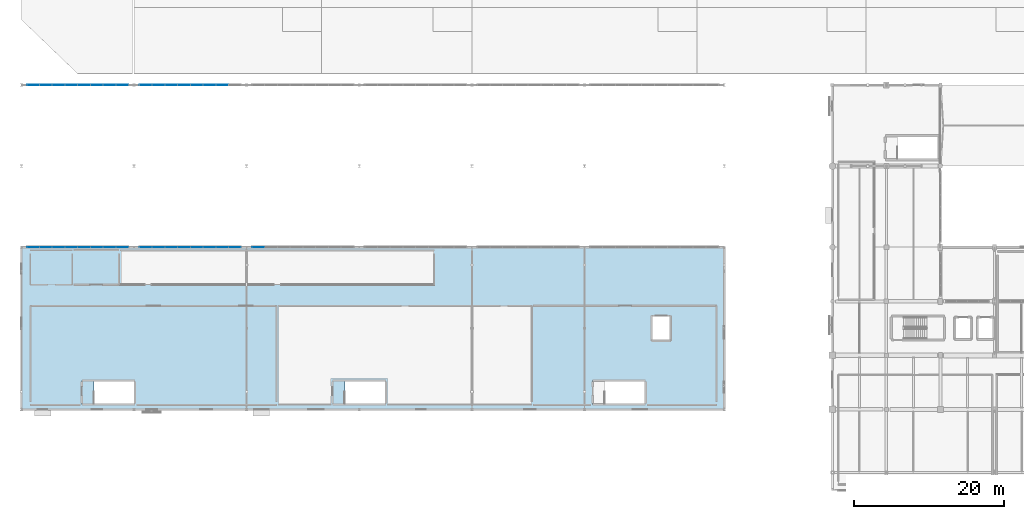
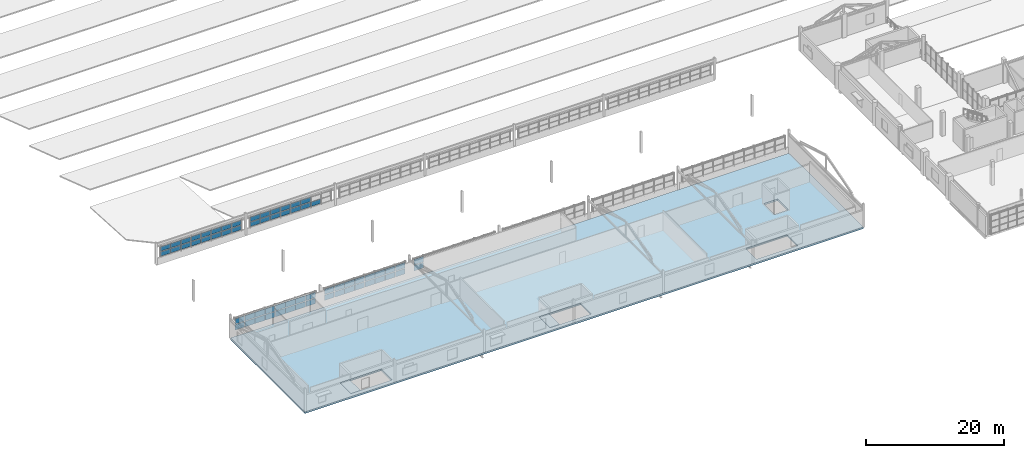
# One storey, part 44 of 90: 63 plates, 3 slabs, 5 elements without a shape of their own.
"""IFC4 building model written with IfcOpenShell, lengths in metres."""

from ifc_helpers import new_model, si_unit, direction, frame, origin, origin_2d, place, context, subcontext, project, spatial, polyline, rectangle, outline, extrude, material, layer, layer_set, type_object, element, aggregate, save


model = new_model("IFC4")

# Units and contexts
model_context = context("Model", 3, precision=1e-05, world=origin(), true_north=direction((0.0, 1.0)))
body_context = subcontext(model_context, "Body", "Model", "MODEL_VIEW")
ifc_project = project(units=[si_unit("LENGTHUNIT", "METRE"), si_unit("AREAUNIT", "SQUARE_METRE"), si_unit("VOLUMEUNIT", "CUBIC_METRE"), si_unit("PLANEANGLEUNIT", "RADIAN"), si_unit("MASSUNIT", "GRAM", prefix="KILO")], contexts=[model_context])

# Site, building, storey
site_placement = place(None, origin())
site = spatial("IfcSite", under=ifc_project, at=site_placement, CompositionType="ELEMENT")
building_placement = place(site_placement, origin())
building = spatial("IfcBuilding", under=site, at=building_placement, Name="Solanera Park Tramway Depot", CompositionType="ELEMENT")
storey_placement = place(building_placement, frame((0.0, 0.0, 9.0)))
storey = spatial("IfcBuildingStorey", under=building, at=storey_placement, Name="L02", CompositionType="ELEMENT", Elevation=9.0)

# Curtain wall, plates
ifc_material_1 = material(Name="Bronze-anodised thermally broken aluminium curtain wall", Category="aluminium")
curtain_wall_type = type_object("IfcCurtainWallType", Name="Workshop Daylight Ribbon Curtain Wall", PredefinedType="NOTDEFINED", material=ifc_material_1)
curtain_wall_1_placement = place(storey_placement, origin())
curtain_wall_1 = element("IfcCurtainWall", 1, at=curtain_wall_1_placement, inside=storey, type_object=curtain_wall_type, Name="L02 Workshop Daylight Ribbon Curtain Wall #152", PredefinedType="NOTDEFINED")
ifc_material_2 = material(Name="Low-E laminated solar-control double glazing", Category="glass")
ifc_layer_1 = layer(ifc_material_2, 0.028076171875)
ifc_layer_set_1 = layer_set([ifc_layer_1], Name="Low-E laminated solar-control double glazing")
plate_type = type_object("IfcPlateType", Name="Curtain Wall Double Glazing Panel 28", PredefinedType="CURTAIN_PANEL", material=ifc_layer_set_1)
plate_1_placement = place(storey_placement, frame((13.43359375, 54.0, 1.112060546875), z_axis=(0.0, 0.0, 1.0), x_axis=(-1.0, 0.0, 0.0)))
plate_1 = element("IfcPlate", 2, at=plate_1_placement, type_object=plate_type, Name="CW-L02-152 Glazing Panel R1.C1", PredefinedType="CURTAIN_PANEL", context=body_context, shape_type="SweptSolid", body=[
    extrude(rectangle(XDim=1.615478515625, YDim=0.028076171875, at=origin_2d()), origin(), (0.0, 0.0, 1.0), 0.7958984375),
])
plate_2_placement = place(storey_placement, frame((11.75, 54.0, 1.112060546875), z_axis=(0.0, 0.0, 1.0), x_axis=(-1.0, 0.0, 0.0)))
plate_2 = element("IfcPlate", 3, at=plate_2_placement, type_object=plate_type, Name="CW-L02-152 Glazing Panel R1.C2", PredefinedType="CURTAIN_PANEL", context=body_context, shape_type="SweptSolid", body=[
    extrude(rectangle(XDim=1.64794921875, YDim=0.028076171875, at=origin_2d()), origin(), (0.0, 0.0, 1.0), 0.7958984375),
])
plate_3_placement = place(storey_placement, frame((10.050048828125, 54.0, 1.112060546875), z_axis=(0.0, 0.0, 1.0), x_axis=(-1.0, 0.0, 0.0)))
plate_3 = element("IfcPlate", 4, at=plate_3_placement, type_object=plate_type, Name="CW-L02-152 Glazing Panel R1.C3", PredefinedType="CURTAIN_PANEL", context=body_context, shape_type="SweptSolid", body=[
    extrude(rectangle(XDim=1.64794921875, YDim=0.028076171875, at=origin_2d()), origin(), (0.0, 0.0, 1.0), 0.7958984375),
])
plate_4_placement = place(storey_placement, frame((8.35009765625, 54.0, 1.112060546875), z_axis=(0.0, 0.0, 1.0), x_axis=(-1.0, 0.0, 0.0)))
plate_4 = element("IfcPlate", 5, at=plate_4_placement, type_object=plate_type, Name="CW-L02-152 Glazing Panel R1.C4", PredefinedType="CURTAIN_PANEL", context=body_context, shape_type="SweptSolid", body=[
    extrude(rectangle(XDim=1.64794921875, YDim=0.028076171875, at=origin_2d()), origin(), (0.0, 0.0, 1.0), 0.7958984375),
])
plate_5_placement = place(storey_placement, frame((6.64990234375, 54.0, 1.112060546875), z_axis=(0.0, 0.0, 1.0), x_axis=(-1.0, 0.0, 0.0)))
plate_5 = element("IfcPlate", 6, at=plate_5_placement, type_object=plate_type, Name="CW-L02-152 Glazing Panel R1.C5", PredefinedType="CURTAIN_PANEL", context=body_context, shape_type="SweptSolid", body=[
    extrude(rectangle(XDim=1.64794921875, YDim=0.028076171875, at=origin_2d()), origin(), (0.0, 0.0, 1.0), 0.7958984375),
])
plate_6_placement = place(storey_placement, frame((4.949951171875, 54.0, 1.112060546875), z_axis=(0.0, 0.0, 1.0), x_axis=(-1.0, 0.0, 0.0)))
plate_6 = element("IfcPlate", 7, at=plate_6_placement, type_object=plate_type, Name="CW-L02-152 Glazing Panel R1.C6", PredefinedType="CURTAIN_PANEL", context=body_context, shape_type="SweptSolid", body=[
    extrude(rectangle(XDim=1.64794921875, YDim=0.028076171875, at=origin_2d()), origin(), (0.0, 0.0, 1.0), 0.7958984375),
])
plate_7_placement = place(storey_placement, frame((3.25, 54.0, 1.112060546875), z_axis=(0.0, 0.0, 1.0), x_axis=(-1.0, 0.0, 0.0)))
plate_7 = element("IfcPlate", 8, at=plate_7_placement, type_object=plate_type, Name="CW-L02-152 Glazing Panel R1.C7", PredefinedType="CURTAIN_PANEL", context=body_context, shape_type="SweptSolid", body=[
    extrude(rectangle(XDim=1.64794921875, YDim=0.028076171875, at=origin_2d()), origin(), (0.0, 0.0, 1.0), 0.7958984375),
])
plate_8_placement = place(storey_placement, frame((1.56640625, 54.0, 1.112060546875), z_axis=(0.0, 0.0, 1.0), x_axis=(-1.0, 0.0, 0.0)))
plate_8 = element("IfcPlate", 9, at=plate_8_placement, type_object=plate_type, Name="CW-L02-152 Glazing Panel R1.C8", PredefinedType="CURTAIN_PANEL", context=body_context, shape_type="SweptSolid", body=[
    extrude(rectangle(XDim=1.615478515625, YDim=0.028076171875, at=origin_2d()), origin(), (0.0, 0.0, 1.0), 0.7958984375),
])
plate_9_placement = place(storey_placement, frame((13.43359375, 54.0, 2.011962890625), z_axis=(0.0, 0.0, 1.0), x_axis=(-1.0, 0.0, 0.0)))
plate_9 = element("IfcPlate", 10, at=plate_9_placement, type_object=plate_type, Name="CW-L02-152 Glazing Panel R2.C1", PredefinedType="CURTAIN_PANEL", context=body_context, shape_type="SweptSolid", body=[
    extrude(rectangle(XDim=1.615478515625, YDim=0.028076171875, at=origin_2d()), origin(), (0.0, 0.0, 1.0), 0.7958984375),
])
plate_10_placement = place(storey_placement, frame((11.75, 54.0, 2.011962890625), z_axis=(0.0, 0.0, 1.0), x_axis=(-1.0, 0.0, 0.0)))
plate_10 = element("IfcPlate", 11, at=plate_10_placement, type_object=plate_type, Name="CW-L02-152 Glazing Panel R2.C2", PredefinedType="CURTAIN_PANEL", context=body_context, shape_type="SweptSolid", body=[
    extrude(rectangle(XDim=1.64794921875, YDim=0.028076171875, at=origin_2d()), origin(), (0.0, 0.0, 1.0), 0.7958984375),
])
plate_11_placement = place(storey_placement, frame((10.050048828125, 54.0, 2.011962890625), z_axis=(0.0, 0.0, 1.0), x_axis=(-1.0, 0.0, 0.0)))
plate_11 = element("IfcPlate", 12, at=plate_11_placement, type_object=plate_type, Name="CW-L02-152 Glazing Panel R2.C3", PredefinedType="CURTAIN_PANEL", context=body_context, shape_type="SweptSolid", body=[
    extrude(rectangle(XDim=1.64794921875, YDim=0.028076171875, at=origin_2d()), origin(), (0.0, 0.0, 1.0), 0.7958984375),
])
plate_12_placement = place(storey_placement, frame((8.35009765625, 54.0, 2.011962890625), z_axis=(0.0, 0.0, 1.0), x_axis=(-1.0, 0.0, 0.0)))
plate_12 = element("IfcPlate", 13, at=plate_12_placement, type_object=plate_type, Name="CW-L02-152 Glazing Panel R2.C4", PredefinedType="CURTAIN_PANEL", context=body_context, shape_type="SweptSolid", body=[
    extrude(rectangle(XDim=1.64794921875, YDim=0.028076171875, at=origin_2d()), origin(), (0.0, 0.0, 1.0), 0.7958984375),
])
plate_13_placement = place(storey_placement, frame((6.64990234375, 54.0, 2.011962890625), z_axis=(0.0, 0.0, 1.0), x_axis=(-1.0, 0.0, 0.0)))
plate_13 = element("IfcPlate", 14, at=plate_13_placement, type_object=plate_type, Name="CW-L02-152 Glazing Panel R2.C5", PredefinedType="CURTAIN_PANEL", context=body_context, shape_type="SweptSolid", body=[
    extrude(rectangle(XDim=1.64794921875, YDim=0.028076171875, at=origin_2d()), origin(), (0.0, 0.0, 1.0), 0.7958984375),
])
plate_14_placement = place(storey_placement, frame((4.949951171875, 54.0, 2.011962890625), z_axis=(0.0, 0.0, 1.0), x_axis=(-1.0, 0.0, 0.0)))
plate_14 = element("IfcPlate", 15, at=plate_14_placement, type_object=plate_type, Name="CW-L02-152 Glazing Panel R2.C6", PredefinedType="CURTAIN_PANEL", context=body_context, shape_type="SweptSolid", body=[
    extrude(rectangle(XDim=1.64794921875, YDim=0.028076171875, at=origin_2d()), origin(), (0.0, 0.0, 1.0), 0.7958984375),
])
plate_15_placement = place(storey_placement, frame((3.25, 54.0, 2.011962890625), z_axis=(0.0, 0.0, 1.0), x_axis=(-1.0, 0.0, 0.0)))
plate_15 = element("IfcPlate", 16, at=plate_15_placement, type_object=plate_type, Name="CW-L02-152 Glazing Panel R2.C7", PredefinedType="CURTAIN_PANEL", context=body_context, shape_type="SweptSolid", body=[
    extrude(rectangle(XDim=1.64794921875, YDim=0.028076171875, at=origin_2d()), origin(), (0.0, 0.0, 1.0), 0.7958984375),
])
plate_16_placement = place(storey_placement, frame((1.56640625, 54.0, 2.011962890625), z_axis=(0.0, 0.0, 1.0), x_axis=(-1.0, 0.0, 0.0)))
plate_16 = element("IfcPlate", 17, at=plate_16_placement, type_object=plate_type, Name="CW-L02-152 Glazing Panel R2.C8", PredefinedType="CURTAIN_PANEL", context=body_context, shape_type="SweptSolid", body=[
    extrude(rectangle(XDim=1.615478515625, YDim=0.028076171875, at=origin_2d()), origin(), (0.0, 0.0, 1.0), 0.7958984375),
])
aggregate(curtain_wall_1, [plate_1, plate_2, plate_3, plate_4, plate_5, plate_6, plate_7, plate_8, plate_9, plate_10, plate_11, plate_12, plate_13, plate_14, plate_15, plate_16])

curtain_wall_2_placement = place(storey_placement, origin())
curtain_wall_2 = element("IfcCurtainWall", 18, at=curtain_wall_2_placement, inside=storey, type_object=curtain_wall_type, Name="L02 Workshop Daylight Ribbon Curtain Wall #153", PredefinedType="NOTDEFINED")
plate_17_placement = place(storey_placement, frame((1.56640625, 32.39990234375, 1.112060546875), z_axis=(0.0, 0.0, 1.0), x_axis=(1.0, 0.0, 0.0)))
plate_17 = element("IfcPlate", 19, at=plate_17_placement, type_object=plate_type, Name="CW-L02-153 Glazing Panel R1.C1", PredefinedType="CURTAIN_PANEL", context=body_context, shape_type="SweptSolid", body=[
    extrude(rectangle(XDim=1.615478515625, YDim=0.028076171875, at=origin_2d()), origin(), (0.0, 0.0, 1.0), 0.9609375),
])
plate_18_placement = place(storey_placement, frame((3.25, 32.39990234375, 1.112060546875), z_axis=(0.0, 0.0, 1.0), x_axis=(1.0, 0.0, 0.0)))
plate_18 = element("IfcPlate", 20, at=plate_18_placement, type_object=plate_type, Name="CW-L02-153 Glazing Panel R1.C2", PredefinedType="CURTAIN_PANEL", context=body_context, shape_type="SweptSolid", body=[
    extrude(rectangle(XDim=1.64794921875, YDim=0.028076171875, at=origin_2d()), origin(), (0.0, 0.0, 1.0), 0.9609375),
])
plate_19_placement = place(storey_placement, frame((4.949951171875, 32.39990234375, 1.112060546875), z_axis=(0.0, 0.0, 1.0), x_axis=(1.0, 0.0, 0.0)))
plate_19 = element("IfcPlate", 21, at=plate_19_placement, type_object=plate_type, Name="CW-L02-153 Glazing Panel R1.C3", PredefinedType="CURTAIN_PANEL", context=body_context, shape_type="SweptSolid", body=[
    extrude(rectangle(XDim=1.64794921875, YDim=0.028076171875, at=origin_2d()), origin(), (0.0, 0.0, 1.0), 0.9609375),
])
plate_20_placement = place(storey_placement, frame((6.64990234375, 32.39990234375, 1.112060546875), z_axis=(0.0, 0.0, 1.0), x_axis=(1.0, 0.0, 0.0)))
plate_20 = element("IfcPlate", 22, at=plate_20_placement, type_object=plate_type, Name="CW-L02-153 Glazing Panel R1.C4", PredefinedType="CURTAIN_PANEL", context=body_context, shape_type="SweptSolid", body=[
    extrude(rectangle(XDim=1.64794921875, YDim=0.028076171875, at=origin_2d()), origin(), (0.0, 0.0, 1.0), 0.9609375),
])
plate_21_placement = place(storey_placement, frame((8.35009765625, 32.39990234375, 1.112060546875), z_axis=(0.0, 0.0, 1.0), x_axis=(1.0, 0.0, 0.0)))
plate_21 = element("IfcPlate", 23, at=plate_21_placement, type_object=plate_type, Name="CW-L02-153 Glazing Panel R1.C5", PredefinedType="CURTAIN_PANEL", context=body_context, shape_type="SweptSolid", body=[
    extrude(rectangle(XDim=1.64794921875, YDim=0.028076171875, at=origin_2d()), origin(), (0.0, 0.0, 1.0), 0.9609375),
])
plate_22_placement = place(storey_placement, frame((10.050048828125, 32.39990234375, 1.112060546875), z_axis=(0.0, 0.0, 1.0), x_axis=(1.0, 0.0, 0.0)))
plate_22 = element("IfcPlate", 24, at=plate_22_placement, type_object=plate_type, Name="CW-L02-153 Glazing Panel R1.C6", PredefinedType="CURTAIN_PANEL", context=body_context, shape_type="SweptSolid", body=[
    extrude(rectangle(XDim=1.64794921875, YDim=0.028076171875, at=origin_2d()), origin(), (0.0, 0.0, 1.0), 0.9609375),
])
plate_23_placement = place(storey_placement, frame((11.75, 32.39990234375, 1.112060546875), z_axis=(0.0, 0.0, 1.0), x_axis=(1.0, 0.0, 0.0)))
plate_23 = element("IfcPlate", 25, at=plate_23_placement, type_object=plate_type, Name="CW-L02-153 Glazing Panel R1.C7", PredefinedType="CURTAIN_PANEL", context=body_context, shape_type="SweptSolid", body=[
    extrude(rectangle(XDim=1.64794921875, YDim=0.028076171875, at=origin_2d()), origin(), (0.0, 0.0, 1.0), 0.9609375),
])
plate_24_placement = place(storey_placement, frame((13.43359375, 32.39990234375, 1.112060546875), z_axis=(0.0, 0.0, 1.0), x_axis=(1.0, 0.0, 0.0)))
plate_24 = element("IfcPlate", 26, at=plate_24_placement, type_object=plate_type, Name="CW-L02-153 Glazing Panel R1.C8", PredefinedType="CURTAIN_PANEL", context=body_context, shape_type="SweptSolid", body=[
    extrude(rectangle(XDim=1.615478515625, YDim=0.028076171875, at=origin_2d()), origin(), (0.0, 0.0, 1.0), 0.9609375),
])
plate_25_placement = place(storey_placement, frame((1.56640625, 32.39990234375, 2.177001953125), z_axis=(0.0, 0.0, 1.0), x_axis=(1.0, 0.0, 0.0)))
plate_25 = element("IfcPlate", 27, at=plate_25_placement, type_object=plate_type, Name="CW-L02-153 Glazing Panel R2.C1", PredefinedType="CURTAIN_PANEL", context=body_context, shape_type="SweptSolid", body=[
    extrude(rectangle(XDim=1.615478515625, YDim=0.028076171875, at=origin_2d()), origin(), (0.0, 0.0, 1.0), 0.9609375),
])
plate_26_placement = place(storey_placement, frame((3.25, 32.39990234375, 2.177001953125), z_axis=(0.0, 0.0, 1.0), x_axis=(1.0, 0.0, 0.0)))
plate_26 = element("IfcPlate", 28, at=plate_26_placement, type_object=plate_type, Name="CW-L02-153 Glazing Panel R2.C2", PredefinedType="CURTAIN_PANEL", context=body_context, shape_type="SweptSolid", body=[
    extrude(rectangle(XDim=1.64794921875, YDim=0.028076171875, at=origin_2d()), origin(), (0.0, 0.0, 1.0), 0.9609375),
])
plate_27_placement = place(storey_placement, frame((4.949951171875, 32.39990234375, 2.177001953125), z_axis=(0.0, 0.0, 1.0), x_axis=(1.0, 0.0, 0.0)))
plate_27 = element("IfcPlate", 29, at=plate_27_placement, type_object=plate_type, Name="CW-L02-153 Glazing Panel R2.C3", PredefinedType="CURTAIN_PANEL", context=body_context, shape_type="SweptSolid", body=[
    extrude(rectangle(XDim=1.64794921875, YDim=0.028076171875, at=origin_2d()), origin(), (0.0, 0.0, 1.0), 0.9609375),
])
plate_28_placement = place(storey_placement, frame((6.64990234375, 32.39990234375, 2.177001953125), z_axis=(0.0, 0.0, 1.0), x_axis=(1.0, 0.0, 0.0)))
plate_28 = element("IfcPlate", 30, at=plate_28_placement, type_object=plate_type, Name="CW-L02-153 Glazing Panel R2.C4", PredefinedType="CURTAIN_PANEL", context=body_context, shape_type="SweptSolid", body=[
    extrude(rectangle(XDim=1.64794921875, YDim=0.028076171875, at=origin_2d()), origin(), (0.0, 0.0, 1.0), 0.9609375),
])
plate_29_placement = place(storey_placement, frame((8.35009765625, 32.39990234375, 2.177001953125), z_axis=(0.0, 0.0, 1.0), x_axis=(1.0, 0.0, 0.0)))
plate_29 = element("IfcPlate", 31, at=plate_29_placement, type_object=plate_type, Name="CW-L02-153 Glazing Panel R2.C5", PredefinedType="CURTAIN_PANEL", context=body_context, shape_type="SweptSolid", body=[
    extrude(rectangle(XDim=1.64794921875, YDim=0.028076171875, at=origin_2d()), origin(), (0.0, 0.0, 1.0), 0.9609375),
])
plate_30_placement = place(storey_placement, frame((10.050048828125, 32.39990234375, 2.177001953125), z_axis=(0.0, 0.0, 1.0), x_axis=(1.0, 0.0, 0.0)))
plate_30 = element("IfcPlate", 32, at=plate_30_placement, type_object=plate_type, Name="CW-L02-153 Glazing Panel R2.C6", PredefinedType="CURTAIN_PANEL", context=body_context, shape_type="SweptSolid", body=[
    extrude(rectangle(XDim=1.64794921875, YDim=0.028076171875, at=origin_2d()), origin(), (0.0, 0.0, 1.0), 0.9609375),
])
plate_31_placement = place(storey_placement, frame((11.75, 32.39990234375, 2.177001953125), z_axis=(0.0, 0.0, 1.0), x_axis=(1.0, 0.0, 0.0)))
plate_31 = element("IfcPlate", 33, at=plate_31_placement, type_object=plate_type, Name="CW-L02-153 Glazing Panel R2.C7", PredefinedType="CURTAIN_PANEL", context=body_context, shape_type="SweptSolid", body=[
    extrude(rectangle(XDim=1.64794921875, YDim=0.028076171875, at=origin_2d()), origin(), (0.0, 0.0, 1.0), 0.9609375),
])
plate_32_placement = place(storey_placement, frame((13.43359375, 32.39990234375, 2.177001953125), z_axis=(0.0, 0.0, 1.0), x_axis=(1.0, 0.0, 0.0)))
plate_32 = element("IfcPlate", 34, at=plate_32_placement, type_object=plate_type, Name="CW-L02-153 Glazing Panel R2.C8", PredefinedType="CURTAIN_PANEL", context=body_context, shape_type="SweptSolid", body=[
    extrude(rectangle(XDim=1.615478515625, YDim=0.028076171875, at=origin_2d()), origin(), (0.0, 0.0, 1.0), 0.9609375),
])
aggregate(curtain_wall_2, [plate_17, plate_18, plate_19, plate_20, plate_21, plate_22, plate_23, plate_24, plate_25, plate_26, plate_27, plate_28, plate_29, plate_30, plate_31, plate_32])

curtain_wall_3_placement = place(storey_placement, origin())
curtain_wall_3 = element("IfcCurtainWall", 35, at=curtain_wall_3_placement, inside=storey, type_object=curtain_wall_type, Name="L02 Workshop Daylight Ribbon Curtain Wall #154", PredefinedType="NOTDEFINED")
plate_33_placement = place(storey_placement, frame((26.75, 54.0, 1.112060546875), z_axis=(0.0, 0.0, 1.0), x_axis=(-1.0, 0.0, 0.0)))
plate_33 = element("IfcPlate", 36, at=plate_33_placement, type_object=plate_type, Name="CW-L02-154 Glazing Panel R1.C2", PredefinedType="CURTAIN_PANEL", context=body_context, shape_type="SweptSolid", body=[
    extrude(rectangle(XDim=1.64794921875, YDim=0.028076171875, at=origin_2d()), origin(), (0.0, 0.0, 1.0), 0.7958984375),
])
plate_34_placement = place(storey_placement, frame((25.050048828125, 54.0, 1.112060546875), z_axis=(0.0, 0.0, 1.0), x_axis=(-1.0, 0.0, 0.0)))
plate_34 = element("IfcPlate", 37, at=plate_34_placement, type_object=plate_type, Name="CW-L02-154 Glazing Panel R1.C3", PredefinedType="CURTAIN_PANEL", context=body_context, shape_type="SweptSolid", body=[
    extrude(rectangle(XDim=1.64794921875, YDim=0.028076171875, at=origin_2d()), origin(), (0.0, 0.0, 1.0), 0.7958984375),
])
plate_35_placement = place(storey_placement, frame((23.35009765625, 54.0, 1.112060546875), z_axis=(0.0, 0.0, 1.0), x_axis=(-1.0, 0.0, 0.0)))
plate_35 = element("IfcPlate", 38, at=plate_35_placement, type_object=plate_type, Name="CW-L02-154 Glazing Panel R1.C4", PredefinedType="CURTAIN_PANEL", context=body_context, shape_type="SweptSolid", body=[
    extrude(rectangle(XDim=1.64794921875, YDim=0.028076171875, at=origin_2d()), origin(), (0.0, 0.0, 1.0), 0.7958984375),
])
plate_36_placement = place(storey_placement, frame((21.64990234375, 54.0, 1.112060546875), z_axis=(0.0, 0.0, 1.0), x_axis=(-1.0, 0.0, 0.0)))
plate_36 = element("IfcPlate", 39, at=plate_36_placement, type_object=plate_type, Name="CW-L02-154 Glazing Panel R1.C5", PredefinedType="CURTAIN_PANEL", context=body_context, shape_type="SweptSolid", body=[
    extrude(rectangle(XDim=1.64794921875, YDim=0.028076171875, at=origin_2d()), origin(), (0.0, 0.0, 1.0), 0.7958984375),
])
plate_37_placement = place(storey_placement, frame((19.949951171875, 54.0, 1.112060546875), z_axis=(0.0, 0.0, 1.0), x_axis=(-1.0, 0.0, 0.0)))
plate_37 = element("IfcPlate", 40, at=plate_37_placement, type_object=plate_type, Name="CW-L02-154 Glazing Panel R1.C6", PredefinedType="CURTAIN_PANEL", context=body_context, shape_type="SweptSolid", body=[
    extrude(rectangle(XDim=1.64794921875, YDim=0.028076171875, at=origin_2d()), origin(), (0.0, 0.0, 1.0), 0.7958984375),
])
plate_38_placement = place(storey_placement, frame((18.25, 54.0, 1.112060546875), z_axis=(0.0, 0.0, 1.0), x_axis=(-1.0, 0.0, 0.0)))
plate_38 = element("IfcPlate", 41, at=plate_38_placement, type_object=plate_type, Name="CW-L02-154 Glazing Panel R1.C7", PredefinedType="CURTAIN_PANEL", context=body_context, shape_type="SweptSolid", body=[
    extrude(rectangle(XDim=1.64794921875, YDim=0.028076171875, at=origin_2d()), origin(), (0.0, 0.0, 1.0), 0.7958984375),
])
plate_39_placement = place(storey_placement, frame((16.56640625, 54.0, 1.112060546875), z_axis=(0.0, 0.0, 1.0), x_axis=(-1.0, 0.0, 0.0)))
plate_39 = element("IfcPlate", 42, at=plate_39_placement, type_object=plate_type, Name="CW-L02-154 Glazing Panel R1.C8", PredefinedType="CURTAIN_PANEL", context=body_context, shape_type="SweptSolid", body=[
    extrude(rectangle(XDim=1.615478515625, YDim=0.028076171875, at=origin_2d()), origin(), (0.0, 0.0, 1.0), 0.7958984375),
])
plate_40_placement = place(storey_placement, frame((25.050048828125, 54.0, 2.011962890625), z_axis=(0.0, 0.0, 1.0), x_axis=(-1.0, 0.0, 0.0)))
plate_40 = element("IfcPlate", 43, at=plate_40_placement, type_object=plate_type, Name="CW-L02-154 Glazing Panel R2.C3", PredefinedType="CURTAIN_PANEL", context=body_context, shape_type="SweptSolid", body=[
    extrude(rectangle(XDim=1.64794921875, YDim=0.028076171875, at=origin_2d()), origin(), (0.0, 0.0, 1.0), 0.7958984375),
])
plate_41_placement = place(storey_placement, frame((23.35009765625, 54.0, 2.011962890625), z_axis=(0.0, 0.0, 1.0), x_axis=(-1.0, 0.0, 0.0)))
plate_41 = element("IfcPlate", 44, at=plate_41_placement, type_object=plate_type, Name="CW-L02-154 Glazing Panel R2.C4", PredefinedType="CURTAIN_PANEL", context=body_context, shape_type="SweptSolid", body=[
    extrude(rectangle(XDim=1.64794921875, YDim=0.028076171875, at=origin_2d()), origin(), (0.0, 0.0, 1.0), 0.7958984375),
])
plate_42_placement = place(storey_placement, frame((21.64990234375, 54.0, 2.011962890625), z_axis=(0.0, 0.0, 1.0), x_axis=(-1.0, 0.0, 0.0)))
plate_42 = element("IfcPlate", 45, at=plate_42_placement, type_object=plate_type, Name="CW-L02-154 Glazing Panel R2.C5", PredefinedType="CURTAIN_PANEL", context=body_context, shape_type="SweptSolid", body=[
    extrude(rectangle(XDim=1.64794921875, YDim=0.028076171875, at=origin_2d()), origin(), (0.0, 0.0, 1.0), 0.7958984375),
])
plate_43_placement = place(storey_placement, frame((19.949951171875, 54.0, 2.011962890625), z_axis=(0.0, 0.0, 1.0), x_axis=(-1.0, 0.0, 0.0)))
plate_43 = element("IfcPlate", 46, at=plate_43_placement, type_object=plate_type, Name="CW-L02-154 Glazing Panel R2.C6", PredefinedType="CURTAIN_PANEL", context=body_context, shape_type="SweptSolid", body=[
    extrude(rectangle(XDim=1.64794921875, YDim=0.028076171875, at=origin_2d()), origin(), (0.0, 0.0, 1.0), 0.7958984375),
])
plate_44_placement = place(storey_placement, frame((18.25, 54.0, 2.011962890625), z_axis=(0.0, 0.0, 1.0), x_axis=(-1.0, 0.0, 0.0)))
plate_44 = element("IfcPlate", 47, at=plate_44_placement, type_object=plate_type, Name="CW-L02-154 Glazing Panel R2.C7", PredefinedType="CURTAIN_PANEL", context=body_context, shape_type="SweptSolid", body=[
    extrude(rectangle(XDim=1.64794921875, YDim=0.028076171875, at=origin_2d()), origin(), (0.0, 0.0, 1.0), 0.7958984375),
])
plate_45_placement = place(storey_placement, frame((16.56640625, 54.0, 2.011962890625), z_axis=(0.0, 0.0, 1.0), x_axis=(-1.0, 0.0, 0.0)))
plate_45 = element("IfcPlate", 48, at=plate_45_placement, type_object=plate_type, Name="CW-L02-154 Glazing Panel R2.C8", PredefinedType="CURTAIN_PANEL", context=body_context, shape_type="SweptSolid", body=[
    extrude(rectangle(XDim=1.615478515625, YDim=0.028076171875, at=origin_2d()), origin(), (0.0, 0.0, 1.0), 0.7958984375),
])
aggregate(curtain_wall_3, [plate_33, plate_34, plate_35, plate_36, plate_37, plate_38, plate_39, plate_40, plate_41, plate_42, plate_43, plate_44, plate_45])

curtain_wall_4_placement = place(storey_placement, origin())
curtain_wall_4 = element("IfcCurtainWall", 49, at=curtain_wall_4_placement, inside=storey, type_object=curtain_wall_type, Name="L02 Workshop Daylight Ribbon Curtain Wall #155", PredefinedType="NOTDEFINED")
plate_46_placement = place(storey_placement, frame((16.56640625, 32.39990234375, 1.112060546875), z_axis=(0.0, 0.0, 1.0), x_axis=(1.0, 0.0, 0.0)))
plate_46 = element("IfcPlate", 50, at=plate_46_placement, type_object=plate_type, Name="CW-L02-155 Glazing Panel R1.C1", PredefinedType="CURTAIN_PANEL", context=body_context, shape_type="SweptSolid", body=[
    extrude(rectangle(XDim=1.615478515625, YDim=0.028076171875, at=origin_2d()), origin(), (0.0, 0.0, 1.0), 0.9609375),
])
plate_47_placement = place(storey_placement, frame((18.25, 32.39990234375, 1.112060546875), z_axis=(0.0, 0.0, 1.0), x_axis=(1.0, 0.0, 0.0)))
plate_47 = element("IfcPlate", 51, at=plate_47_placement, type_object=plate_type, Name="CW-L02-155 Glazing Panel R1.C2", PredefinedType="CURTAIN_PANEL", context=body_context, shape_type="SweptSolid", body=[
    extrude(rectangle(XDim=1.64794921875, YDim=0.028076171875, at=origin_2d()), origin(), (0.0, 0.0, 1.0), 0.9609375),
])
plate_48_placement = place(storey_placement, frame((19.949951171875, 32.39990234375, 1.112060546875), z_axis=(0.0, 0.0, 1.0), x_axis=(1.0, 0.0, 0.0)))
plate_48 = element("IfcPlate", 52, at=plate_48_placement, type_object=plate_type, Name="CW-L02-155 Glazing Panel R1.C3", PredefinedType="CURTAIN_PANEL", context=body_context, shape_type="SweptSolid", body=[
    extrude(rectangle(XDim=1.64794921875, YDim=0.028076171875, at=origin_2d()), origin(), (0.0, 0.0, 1.0), 0.9609375),
])
plate_49_placement = place(storey_placement, frame((21.64990234375, 32.39990234375, 1.112060546875), z_axis=(0.0, 0.0, 1.0), x_axis=(1.0, 0.0, 0.0)))
plate_49 = element("IfcPlate", 53, at=plate_49_placement, type_object=plate_type, Name="CW-L02-155 Glazing Panel R1.C4", PredefinedType="CURTAIN_PANEL", context=body_context, shape_type="SweptSolid", body=[
    extrude(rectangle(XDim=1.64794921875, YDim=0.028076171875, at=origin_2d()), origin(), (0.0, 0.0, 1.0), 0.9609375),
])
plate_50_placement = place(storey_placement, frame((23.35009765625, 32.39990234375, 1.112060546875), z_axis=(0.0, 0.0, 1.0), x_axis=(1.0, 0.0, 0.0)))
plate_50 = element("IfcPlate", 54, at=plate_50_placement, type_object=plate_type, Name="CW-L02-155 Glazing Panel R1.C5", PredefinedType="CURTAIN_PANEL", context=body_context, shape_type="SweptSolid", body=[
    extrude(rectangle(XDim=1.64794921875, YDim=0.028076171875, at=origin_2d()), origin(), (0.0, 0.0, 1.0), 0.9609375),
])
plate_51_placement = place(storey_placement, frame((25.050048828125, 32.39990234375, 1.112060546875), z_axis=(0.0, 0.0, 1.0), x_axis=(1.0, 0.0, 0.0)))
plate_51 = element("IfcPlate", 55, at=plate_51_placement, type_object=plate_type, Name="CW-L02-155 Glazing Panel R1.C6", PredefinedType="CURTAIN_PANEL", context=body_context, shape_type="SweptSolid", body=[
    extrude(rectangle(XDim=1.64794921875, YDim=0.028076171875, at=origin_2d()), origin(), (0.0, 0.0, 1.0), 0.9609375),
])
plate_52_placement = place(storey_placement, frame((26.75, 32.39990234375, 1.112060546875), z_axis=(0.0, 0.0, 1.0), x_axis=(1.0, 0.0, 0.0)))
plate_52 = element("IfcPlate", 56, at=plate_52_placement, type_object=plate_type, Name="CW-L02-155 Glazing Panel R1.C7", PredefinedType="CURTAIN_PANEL", context=body_context, shape_type="SweptSolid", body=[
    extrude(rectangle(XDim=1.64794921875, YDim=0.028076171875, at=origin_2d()), origin(), (0.0, 0.0, 1.0), 0.9609375),
])
plate_53_placement = place(storey_placement, frame((28.43359375, 32.39990234375, 1.112060546875), z_axis=(0.0, 0.0, 1.0), x_axis=(1.0, 0.0, 0.0)))
plate_53 = element("IfcPlate", 57, at=plate_53_placement, type_object=plate_type, Name="CW-L02-155 Glazing Panel R1.C8", PredefinedType="CURTAIN_PANEL", context=body_context, shape_type="SweptSolid", body=[
    extrude(rectangle(XDim=1.615478515625, YDim=0.028076171875, at=origin_2d()), origin(), (0.0, 0.0, 1.0), 0.9609375),
])
plate_54_placement = place(storey_placement, frame((16.56640625, 32.39990234375, 2.177001953125), z_axis=(0.0, 0.0, 1.0), x_axis=(1.0, 0.0, 0.0)))
plate_54 = element("IfcPlate", 58, at=plate_54_placement, type_object=plate_type, Name="CW-L02-155 Glazing Panel R2.C1", PredefinedType="CURTAIN_PANEL", context=body_context, shape_type="SweptSolid", body=[
    extrude(rectangle(XDim=1.615478515625, YDim=0.028076171875, at=origin_2d()), origin(), (0.0, 0.0, 1.0), 0.9609375),
])
plate_55_placement = place(storey_placement, frame((18.25, 32.39990234375, 2.177001953125), z_axis=(0.0, 0.0, 1.0), x_axis=(1.0, 0.0, 0.0)))
plate_55 = element("IfcPlate", 59, at=plate_55_placement, type_object=plate_type, Name="CW-L02-155 Glazing Panel R2.C2", PredefinedType="CURTAIN_PANEL", context=body_context, shape_type="SweptSolid", body=[
    extrude(rectangle(XDim=1.64794921875, YDim=0.028076171875, at=origin_2d()), origin(), (0.0, 0.0, 1.0), 0.9609375),
])
plate_56_placement = place(storey_placement, frame((19.949951171875, 32.39990234375, 2.177001953125), z_axis=(0.0, 0.0, 1.0), x_axis=(1.0, 0.0, 0.0)))
plate_56 = element("IfcPlate", 60, at=plate_56_placement, type_object=plate_type, Name="CW-L02-155 Glazing Panel R2.C3", PredefinedType="CURTAIN_PANEL", context=body_context, shape_type="SweptSolid", body=[
    extrude(rectangle(XDim=1.64794921875, YDim=0.028076171875, at=origin_2d()), origin(), (0.0, 0.0, 1.0), 0.9609375),
])
plate_57_placement = place(storey_placement, frame((21.64990234375, 32.39990234375, 2.177001953125), z_axis=(0.0, 0.0, 1.0), x_axis=(1.0, 0.0, 0.0)))
plate_57 = element("IfcPlate", 61, at=plate_57_placement, type_object=plate_type, Name="CW-L02-155 Glazing Panel R2.C4", PredefinedType="CURTAIN_PANEL", context=body_context, shape_type="SweptSolid", body=[
    extrude(rectangle(XDim=1.64794921875, YDim=0.028076171875, at=origin_2d()), origin(), (0.0, 0.0, 1.0), 0.9609375),
])
plate_58_placement = place(storey_placement, frame((23.35009765625, 32.39990234375, 2.177001953125), z_axis=(0.0, 0.0, 1.0), x_axis=(1.0, 0.0, 0.0)))
plate_58 = element("IfcPlate", 62, at=plate_58_placement, type_object=plate_type, Name="CW-L02-155 Glazing Panel R2.C5", PredefinedType="CURTAIN_PANEL", context=body_context, shape_type="SweptSolid", body=[
    extrude(rectangle(XDim=1.64794921875, YDim=0.028076171875, at=origin_2d()), origin(), (0.0, 0.0, 1.0), 0.9609375),
])
plate_59_placement = place(storey_placement, frame((25.050048828125, 32.39990234375, 2.177001953125), z_axis=(0.0, 0.0, 1.0), x_axis=(1.0, 0.0, 0.0)))
plate_59 = element("IfcPlate", 63, at=plate_59_placement, type_object=plate_type, Name="CW-L02-155 Glazing Panel R2.C6", PredefinedType="CURTAIN_PANEL", context=body_context, shape_type="SweptSolid", body=[
    extrude(rectangle(XDim=1.64794921875, YDim=0.028076171875, at=origin_2d()), origin(), (0.0, 0.0, 1.0), 0.9609375),
])
plate_60_placement = place(storey_placement, frame((26.75, 32.39990234375, 2.177001953125), z_axis=(0.0, 0.0, 1.0), x_axis=(1.0, 0.0, 0.0)))
plate_60 = element("IfcPlate", 64, at=plate_60_placement, type_object=plate_type, Name="CW-L02-155 Glazing Panel R2.C7", PredefinedType="CURTAIN_PANEL", context=body_context, shape_type="SweptSolid", body=[
    extrude(rectangle(XDim=1.64794921875, YDim=0.028076171875, at=origin_2d()), origin(), (0.0, 0.0, 1.0), 0.9609375),
])
plate_61_placement = place(storey_placement, frame((28.43359375, 32.39990234375, 2.177001953125), z_axis=(0.0, 0.0, 1.0), x_axis=(1.0, 0.0, 0.0)))
plate_61 = element("IfcPlate", 65, at=plate_61_placement, type_object=plate_type, Name="CW-L02-155 Glazing Panel R2.C8", PredefinedType="CURTAIN_PANEL", context=body_context, shape_type="SweptSolid", body=[
    extrude(rectangle(XDim=1.615478515625, YDim=0.028076171875, at=origin_2d()), origin(), (0.0, 0.0, 1.0), 0.9609375),
])
aggregate(curtain_wall_4, [plate_46, plate_47, plate_48, plate_49, plate_50, plate_51, plate_52, plate_53, plate_54, plate_55, plate_56, plate_57, plate_58, plate_59, plate_60, plate_61])

curtain_wall_5_placement = place(storey_placement, origin())
curtain_wall_5 = element("IfcCurtainWall", 66, at=curtain_wall_5_placement, inside=storey, type_object=curtain_wall_type, Name="L02 Workshop Daylight Ribbon Curtain Wall #157", PredefinedType="NOTDEFINED")
plate_62_placement = place(storey_placement, frame((31.56640625, 32.39990234375, 1.112060546875), z_axis=(0.0, 0.0, 1.0), x_axis=(1.0, 0.0, 0.0)))
plate_62 = element("IfcPlate", 67, at=plate_62_placement, type_object=plate_type, Name="CW-L02-157 Glazing Panel R1.C1", PredefinedType="CURTAIN_PANEL", context=body_context, shape_type="SweptSolid", body=[
    extrude(rectangle(XDim=1.615478515625, YDim=0.028076171875, at=origin_2d()), origin(), (0.0, 0.0, 1.0), 0.9609375),
])
plate_63_placement = place(storey_placement, frame((31.56640625, 32.39990234375, 2.177001953125), z_axis=(0.0, 0.0, 1.0), x_axis=(1.0, 0.0, 0.0)))
plate_63 = element("IfcPlate", 68, at=plate_63_placement, type_object=plate_type, Name="CW-L02-157 Glazing Panel R2.C1", PredefinedType="CURTAIN_PANEL", context=body_context, shape_type="SweptSolid", body=[
    extrude(rectangle(XDim=1.615478515625, YDim=0.028076171875, at=origin_2d()), origin(), (0.0, 0.0, 1.0), 0.9609375),
])
aggregate(curtain_wall_5, [plate_62, plate_63])

# Slabs
ifc_material_3 = material(Name="Concrete N40 (C40/50)", Category="concrete")
ifc_layer_2 = layer(ifc_material_3, 0.300048828125)
ifc_layer_set_2 = layer_set([ifc_layer_2], Name="Concrete N40 (C40/50)")
slab_type_1 = type_object("IfcSlabType", Name="Slab Floor 300", PredefinedType="FLOOR", material=ifc_layer_set_2)
slab_1_placement = place(storey_placement, frame((0.0, 0.0, -0.300048828125)))
element("IfcSlab", 69, at=slab_1_placement, inside=storey, type_object=slab_type_1, Name="L02 Structural Slab SL-L02-V2", PredefinedType="FLOOR", context=body_context, shape_type="SweptSolid", body=[
    extrude(outline(polyline([(93.60009765625, 10.800048828125), (0.0, 10.800048828125), (0.0, 32.39990234375), (93.60009765625, 32.39990234375), (93.60009765625, 10.800048828125)]), holes=[polyline([(15.0, 11.47509765625), (15.0, 14.625), (8.074951171875, 14.625), (8.074951171875, 11.47509765625), (15.0, 11.47509765625)]), polyline([(76.074951171875, 11.47509765625), (83.0, 11.47509765625), (83.0, 14.625), (76.074951171875, 14.625), (76.074951171875, 11.47509765625)]), polyline([(41.47509765625, 14.625), (41.47509765625, 11.47509765625), (48.39990234375, 11.47509765625), (48.39990234375, 14.625), (41.47509765625, 14.625)]), polyline([(86.35009765625, 23.14990234375), (84.050048828125, 23.14990234375), (84.050048828125, 20.050048828125), (86.35009765625, 20.050048828125), (86.35009765625, 23.14990234375)])]), origin(), (0.0, 0.0, 1.0), 0.300048828125),
])
ifc_material_4 = material(Name="Concrete N40 (C40/50)", Category="concrete")
ifc_layer_3 = layer(ifc_material_4, 0.300048828125)
ifc_layer_set_3 = layer_set([ifc_layer_3], Name="Concrete N40 (C40/50)")
slab_type_2 = type_object("IfcSlabType", Name="Slab Stair Floor Landing 300", PredefinedType="LANDING", material=ifc_layer_set_3)
slab_2_placement = place(storey_placement, frame((0.0, 0.0, -0.300048828125)))
element("IfcSlab", 70, at=slab_2_placement, inside=storey, type_object=slab_type_2, Name="ST-08 L02 Floor Landing", PredefinedType="LANDING", context=body_context, shape_type="SweptSolid", body=[
    extrude(outline(polyline([(8.080078125, 11.47998046875), (9.699951171875, 11.47998046875), (9.699951171875, 14.6201171875), (8.080078125, 14.6201171875), (8.080078125, 11.47998046875)])), origin(), (0.0, 0.0, 1.0), 0.300048828125),
])
slab_3_placement = place(storey_placement, frame((0.0, 0.0, -0.300048828125)))
element("IfcSlab", 71, at=slab_3_placement, inside=storey, type_object=slab_type_2, Name="ST-12 L02 Floor Landing", PredefinedType="LANDING", context=body_context, shape_type="SweptSolid", body=[
    extrude(outline(polyline([(41.47998046875, 11.47998046875), (43.10009765625, 11.47998046875), (43.10009765625, 14.6201171875), (41.47998046875, 14.6201171875), (41.47998046875, 11.47998046875)])), origin(), (0.0, 0.0, 1.0), 0.300048828125),
])

save(model, "model.ifc")
